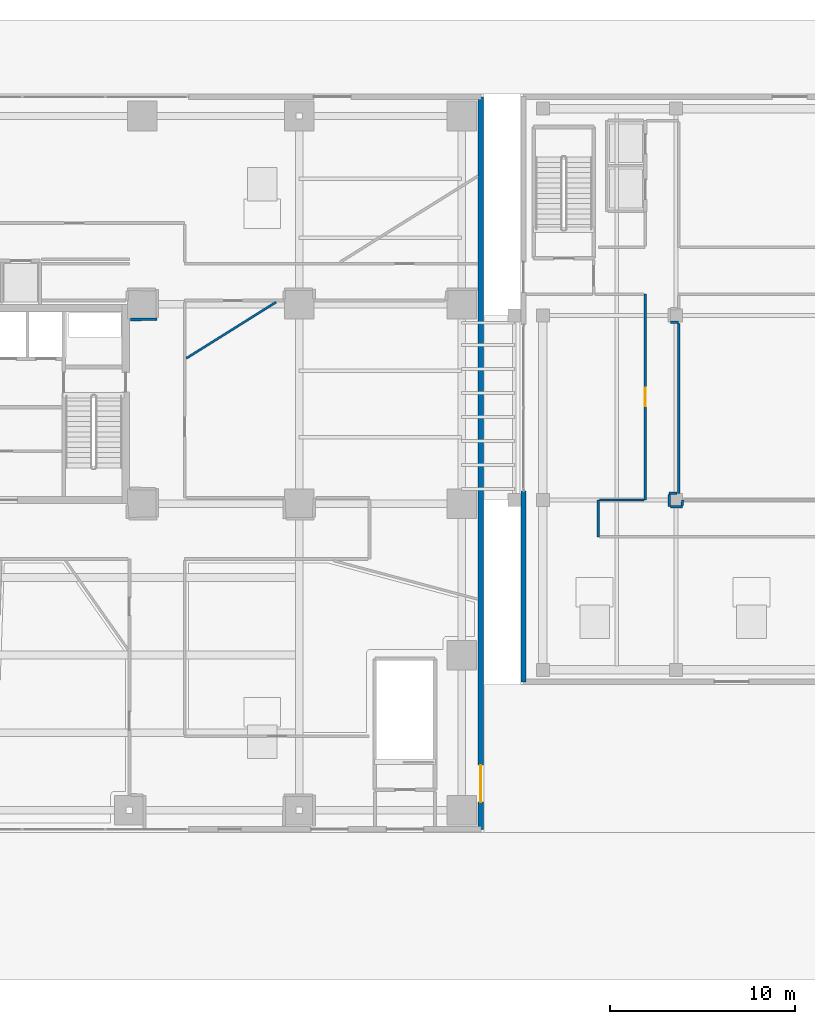
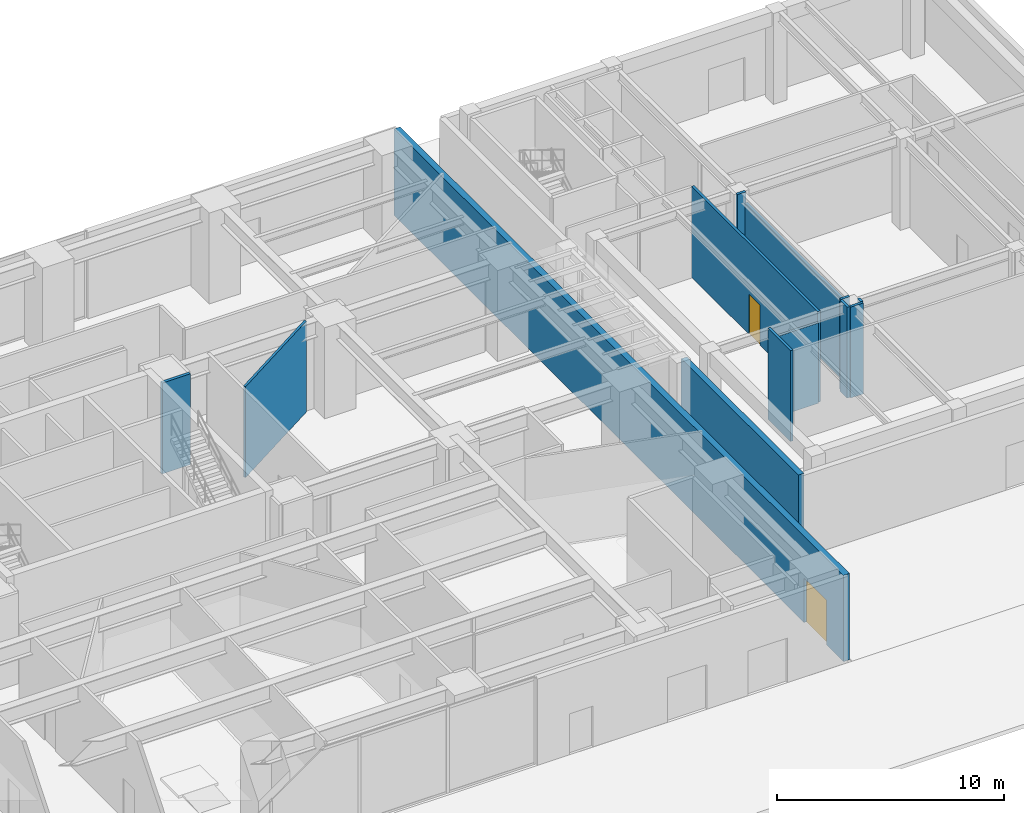
# One storey, part 20 of 28: 13 walls, 2 doors, 2 openings.
"""IFC4 building model written with IfcOpenShell, lengths in metres."""

from ifc_helpers import new_model, si_unit, direction, frame, frame_2d, origin, place, context, subcontext, project, spatial, rectangle, extrude, source, transform, mapped, material, layer, layer_set, type_object, type_shapes, element, fill, save


model = new_model("IFC4")

# Units and contexts
model_context = context("Model", 3, precision=1e-05, world=origin(), true_north=direction((0.0, 1.0)))
body_context = subcontext(model_context, "Body", "Model", "MODEL_VIEW")
ifc_project = project(units=[si_unit("LENGTHUNIT", "METRE"), si_unit("AREAUNIT", "SQUARE_METRE"), si_unit("VOLUMEUNIT", "CUBIC_METRE"), si_unit("PLANEANGLEUNIT", "RADIAN"), si_unit("MASSUNIT", "GRAM", prefix="KILO")], contexts=[model_context])

# Site, building, storey
site_placement = place(None, origin())
site = spatial("IfcSite", under=ifc_project, at=site_placement, CompositionType="ELEMENT")
building_placement = place(site_placement, origin())
building = spatial("IfcBuilding", under=site, at=building_placement, Name="Talar Marvaseh", CompositionType="ELEMENT")
storey_placement = place(building_placement, origin())
storey = spatial("IfcBuildingStorey", under=building, at=storey_placement, Name="L00", CompositionType="ELEMENT", Elevation=0.0)

# Wall, opening, door
ifc_material_1 = material(Name="Precast concrete C45/55", Category="concrete")
ifc_layer_1 = layer(ifc_material_1, 0.31005859375)
ifc_layer_set_1 = layer_set([ifc_layer_1], Name="Precast concrete C45/55")
wall_type_1 = type_object("IfcWallType", Name="Architectural Precast Limestone Podium Facade Wall 310", PredefinedType="SOLIDWALL", material=ifc_layer_set_1)
wall_1_placement = place(storey_placement, frame((51.840087890625, 47.840087890625, 0.0), z_axis=(0.0, 0.0, 1.0), x_axis=(0.0, -1.0, 0.0)))
wall_1 = element("IfcWall", 1, at=wall_1_placement, inside=storey, type_object=wall_type_1, Name="L00 Podium East Facade Wall", PredefinedType="SOLIDWALL", context=body_context, shape_type="SweptSolid", body=[
    extrude(rectangle(XDim=39.68017578125, YDim=0.31005859375, at=frame_2d((19.840087890625, 0.0))), origin(), (0.0, 0.0, 1.0), 4.64990234375),
])
opening_1_placement = place(wall_1_placement, frame((36.199951171875, 0.0, 0.0)))
opening_1 = element("IfcOpeningElement", 2, at=opening_1_placement, cuts=wall_1, Name="Opening DR-EXT20", PredefinedType="OPENING", context=body_context, shape_type="SweptSolid", body=[
    extrude(rectangle(XDim=2.0, YDim=2.39990234375, at=frame_2d((1.0, 1.199951171875))), frame((0.0, 0.1650390625, 0.0), z_axis=(0.0, -1.0, 0.0), x_axis=(1.0, 0.0, 0.0)), (0.0, 0.0, 1.0), 0.330078125),
])
ifc_material_2 = material(Name="Architectural Aluminium", Category="aluminium")
door_type_1 = type_object("IfcDoorType", Name="Ground Plaza Double Egress Entrance Door 2000x2400", OperationType="NOTDEFINED", PredefinedType="DOOR", material=ifc_material_2)
shared_shape_1 = source(origin(), body_context, "Body", "SweptSolid", [
    extrude(rectangle(XDim=2.0, YDim=2.39990234375, at=frame_2d((1.0, 1.199951171875))), frame((0.0, 0.02490234375, 0.0), z_axis=(0.0, -1.0, 0.0), x_axis=(1.0, 0.0, 0.0)), (0.0, 0.0, 1.0), 0.050048828125),
])
type_shapes(door_type_1, [shared_shape_1])
door_1_placement = place(opening_1_placement, origin())
door_1 = element("IfcDoor", 3, at=door_1_placement, inside=storey, type_object=door_type_1, Name="L00 East Forecourt Plaza Exit Door", OperationType="DOUBLE_DOOR_SINGLE_SWING", OverallHeight=2.39990234375, OverallWidth=2.0, PredefinedType="DOOR", context=body_context, shape_type="MappedRepresentation", body=[
    mapped(shared_shape_1, transform((0.0, 0.0, 0.0), x_axis=(1.0, 0.0, 0.0), y_axis=(0.0, 1.0, 0.0), z_axis=(0.0, 0.0, 1.0), scale=1.0)),
])
fill(opening_1, door_1)

# Walls
ifc_material_3 = material(Name="Gypsum Board Partition Assembly")
ifc_layer_2 = layer(ifc_material_3, 0.155029296875)
ifc_layer_set_2 = layer_set([ifc_layer_2], Name="Gypsum Board Partition Assembly")
wall_type_2 = type_object("IfcWallType", Name="Corridor Fire-Rated Acoustic Partition 155", PredefinedType="PARTITIONING", material=ifc_layer_set_2)
wall_2_placement = place(storey_placement, frame((32.8701171875, 35.78515625, 0.0), z_axis=(0.0, 0.0, 1.0), x_axis=(0.99999584892, 0.002881343971, 0.0)))
element("IfcWall", 4, at=wall_2_placement, inside=storey, type_object=wall_type_2, Name="L00 Interior Partition Wall", PredefinedType="PARTITIONING", context=body_context, shape_type="SweptSolid", body=[
    extrude(rectangle(XDim=1.4404296875, YDim=0.155029296875, at=frame_2d((0.72021484375, 0.0))), origin(), (0.0, 0.0, 1.0), 4.89990234375),
])
ifc_layer_3 = layer(ifc_material_3, 0.1201171875)
ifc_layer_set_3 = layer_set([ifc_layer_3], Name="Gypsum Board Partition Assembly")
wall_type_3 = type_object("IfcWallType", Name="Demountable Studio Room Partition 120", PredefinedType="PARTITIONING", material=ifc_layer_set_3)
wall_3_placement = place(storey_placement, frame((35.883544921875, 33.67236328125, 0.0), z_axis=(0.0, 0.0, 1.0), x_axis=(0.847622760113, 0.530599337108, 0.0)))
element("IfcWall", 5, at=wall_3_placement, inside=storey, type_object=wall_type_3, Name="L00 Interior Partition Wall", PredefinedType="PARTITIONING", context=body_context, shape_type="SweptSolid", body=[
    extrude(rectangle(XDim=5.7373046875, YDim=0.1201171875, at=frame_2d((2.86865234375, 0.0))), origin(), (0.0, 0.0, 1.0), 4.89990234375),
])

# Wall, opening, door
ifc_layer_4 = layer(ifc_material_3, 0.135009765625)
ifc_layer_set_4 = layer_set([ifc_layer_4], Name="Gypsum Board Partition Assembly")
wall_type_4 = type_object("IfcWallType", Name="Gallery High-Acoustic Partition 135", PredefinedType="PARTITIONING", material=ifc_layer_set_4)
wall_4_placement = place(storey_placement, frame((60.739990234375, 26.0, 0.0), z_axis=(0.0, 0.0, 1.0), x_axis=(0.0, 1.0, 0.0)))
wall_4 = element("IfcWall", 6, at=wall_4_placement, inside=storey, type_object=wall_type_4, Name="L00 Interior Partition Wall", PredefinedType="PARTITIONING", context=body_context, shape_type="SweptSolid", body=[
    extrude(rectangle(XDim=11.14990234375, YDim=0.135009765625, at=frame_2d((5.574951171875, 0.0))), origin(), (0.0, 0.0, 1.0), 4.89990234375),
])
opening_2_placement = place(wall_4_placement, frame((5.074951171875, 0.0, 0.0)))
opening_2 = element("IfcOpeningElement", 7, at=opening_2_placement, cuts=wall_4, Name="Opening DR-RM100", PredefinedType="OPENING", context=body_context, shape_type="SweptSolid", body=[
    extrude(rectangle(XDim=1.0, YDim=2.14990234375, at=frame_2d((0.5, 1.074951171875))), frame((0.0, 0.07763671875, 0.0), z_axis=(0.0, -1.0, 0.0), x_axis=(1.0, 0.0, 0.0)), (0.0, 0.0, 1.0), 0.155029296875),
])
ifc_material_4 = material(Name="Acoustic Engineered Oak Timber", Category="wood")
door_type_2 = type_object("IfcDoorType", Name="Corridor Fire-Rated Gallery Door 1000x2150", OperationType="NOTDEFINED", PredefinedType="DOOR", material=ifc_material_4)
shared_shape_2 = source(origin(), body_context, "Body", "SweptSolid", [
    extrude(rectangle(XDim=1.0, YDim=2.14990234375, at=frame_2d((0.5, 1.074951171875))), frame((0.0, 0.02490234375, 0.0), z_axis=(0.0, -1.0, 0.0), x_axis=(1.0, 0.0, 0.0)), (0.0, 0.0, 1.0), 0.050048828125),
])
type_shapes(door_type_2, [shared_shape_2])
door_2_placement = place(opening_2_placement, origin())
door_2 = element("IfcDoor", 8, at=door_2_placement, inside=storey, type_object=door_type_2, Name="L00 Qaysariyya Ground Market Hall Door", OperationType="SINGLE_SWING_LEFT", OverallHeight=2.14990234375, OverallWidth=1.0, PredefinedType="DOOR", context=body_context, shape_type="MappedRepresentation", body=[
    mapped(shared_shape_2, transform((0.0, 0.0, 0.0), x_axis=(1.0, 0.0, 0.0), y_axis=(0.0, 1.0, 0.0), z_axis=(0.0, 0.0, 1.0), scale=1.0)),
])
fill(opening_2, door_2)

# Walls
wall_5_placement = place(storey_placement, frame((58.199951171875, 24.0, 0.0), z_axis=(0.0, 0.0, 1.0), x_axis=(0.0, 1.0, 0.0)))
element("IfcWall", 9, at=wall_5_placement, inside=storey, type_object=wall_type_4, Name="L00 Interior Partition Wall", PredefinedType="PARTITIONING", context=body_context, shape_type="SweptSolid", body=[
    extrude(rectangle(XDim=2.0, YDim=0.135009765625, at=frame_2d((1.0, 0.0))), origin(), (0.0, 0.0, 1.0), 4.89990234375),
])
wall_6_placement = place(storey_placement, frame((58.2734375, 26.0, 0.0), z_axis=(0.0, 0.0, 1.0), x_axis=(1.0, 0.0, 0.0)))
element("IfcWall", 10, at=wall_6_placement, inside=storey, type_object=wall_type_4, Name="L00 Interior Partition Wall", PredefinedType="PARTITIONING", context=body_context, shape_type="SweptSolid", body=[
    extrude(rectangle(XDim=2.39306640625, YDim=0.135009765625, at=frame_2d((1.196533203125, 0.0))), origin(), (0.0, 0.0, 1.0), 4.3310546875),
])
wall_7_placement = place(storey_placement, frame((62.111083984375, 35.640625, 0.0), z_axis=(0.0, 0.0, 1.0), x_axis=(0.999918192522, -0.012790944621, 0.0)))
element("IfcWall", 11, at=wall_7_placement, inside=storey, type_object=wall_type_4, Name="L00 Interior Partition Wall", PredefinedType="PARTITIONING", context=body_context, shape_type="SweptSolid", body=[
    extrude(rectangle(XDim=0.43896484375, YDim=0.135009765625, at=frame_2d((0.219482421875, 0.0))), origin(), (0.0, 0.0, 1.0), 4.89990234375),
])
wall_8_placement = place(storey_placement, frame((62.550048828125, 35.5615234375, 0.0), z_axis=(0.0, 0.0, 1.0), x_axis=(0.0, -1.0, 0.0)))
element("IfcWall", 12, at=wall_8_placement, inside=storey, type_object=wall_type_4, Name="L00 Interior Partition Wall", PredefinedType="PARTITIONING", context=body_context, shape_type="SweptSolid", body=[
    extrude(rectangle(XDim=9.196533203125, YDim=0.135009765625, at=frame_2d((4.59814453125, 0.0))), origin(), (0.0, 0.0, 1.0), 4.3310546875),
])
wall_9_placement = place(storey_placement, frame((62.4765625, 26.364013671875, 0.0), z_axis=(0.0, 0.0, 1.0), x_axis=(-0.999918192522, -0.012790944621, 0.0)))
element("IfcWall", 13, at=wall_9_placement, inside=storey, type_object=wall_type_4, Name="L00 Interior Partition Wall", PredefinedType="PARTITIONING", context=body_context, shape_type="SweptSolid", body=[
    extrude(rectangle(XDim=0.43896484375, YDim=0.135009765625, at=frame_2d((0.219482421875, 0.0))), origin(), (0.0, 0.0, 1.0), 4.89990234375),
])
wall_10_placement = place(storey_placement, frame((62.03759765625, 26.284912109375, 0.0), z_axis=(0.0, 0.0, 1.0), x_axis=(0.001136362903, -0.999999354339, 0.0)))
element("IfcWall", 14, at=wall_10_placement, inside=storey, type_object=wall_type_4, Name="L00 Interior Partition Wall", PredefinedType="PARTITIONING", context=body_context, shape_type="SweptSolid", body=[
    extrude(rectangle(XDim=0.64453125, YDim=0.135009765625, at=frame_2d((0.322265625, 0.0))), origin(), (0.0, 0.0, 1.0), 4.89990234375),
])
wall_11_placement = place(storey_placement, frame((62.11181640625, 25.64013671875, 0.0), z_axis=(0.0, 0.0, 1.0), x_axis=(0.999985971133, -0.005296936661, 0.0)))
element("IfcWall", 15, at=wall_11_placement, inside=storey, type_object=wall_type_4, Name="L00 Interior Partition Wall", PredefinedType="PARTITIONING", context=body_context, shape_type="SweptSolid", body=[
    extrude(rectangle(XDim=0.645263671875, YDim=0.135009765625, at=frame_2d((0.32275390625, 0.0))), origin(), (0.0, 0.0, 1.0), 4.89990234375),
])
wall_12_placement = place(storey_placement, frame((62.7587890625, 25.710205078125, 0.0), z_axis=(0.0, 0.0, 1.0), x_axis=(0.021056829831, 0.999778280379, 0.0)))
element("IfcWall", 16, at=wall_12_placement, inside=storey, type_object=wall_type_4, Name="L00 Interior Partition Wall", PredefinedType="PARTITIONING", context=body_context, shape_type="SweptSolid", body=[
    extrude(rectangle(XDim=0.289794921875, YDim=0.135009765625, at=frame_2d((0.14501953125, 0.0))), origin(), (0.0, 0.0, 1.0), 4.89990234375),
])
ifc_layer_5 = layer(ifc_material_1, 0.2900390625)
ifc_layer_set_5 = layer_set([ifc_layer_5], Name="Precast concrete C45/55")
wall_type_5 = type_object("IfcWallType", Name="Market Hall Precast Limestone Bazaar Wall 290", PredefinedType="SOLIDWALL", material=ifc_layer_set_5)
wall_13_placement = place(storey_placement, frame((54.14990234375, 16.14990234375, 0.0), z_axis=(0.0, 0.0, 1.0), x_axis=(0.0, 1.0, 0.0)))
element("IfcWall", 17, at=wall_13_placement, inside=storey, type_object=wall_type_5, Name="L00 Market Hall West-South Wall", PredefinedType="SOLIDWALL", context=body_context, shape_type="SweptSolid", body=[
    extrude(rectangle(XDim=10.35009765625, YDim=0.2900390625, at=frame_2d((5.175048828125, 0.0))), origin(), (0.0, 0.0, 1.0), 4.39990234375),
])

save(model, "model.ifc")
